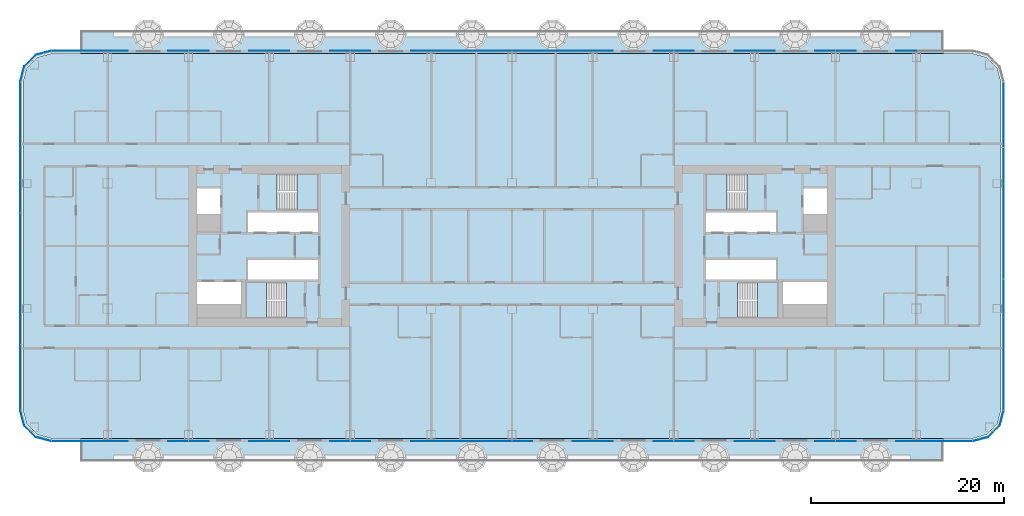
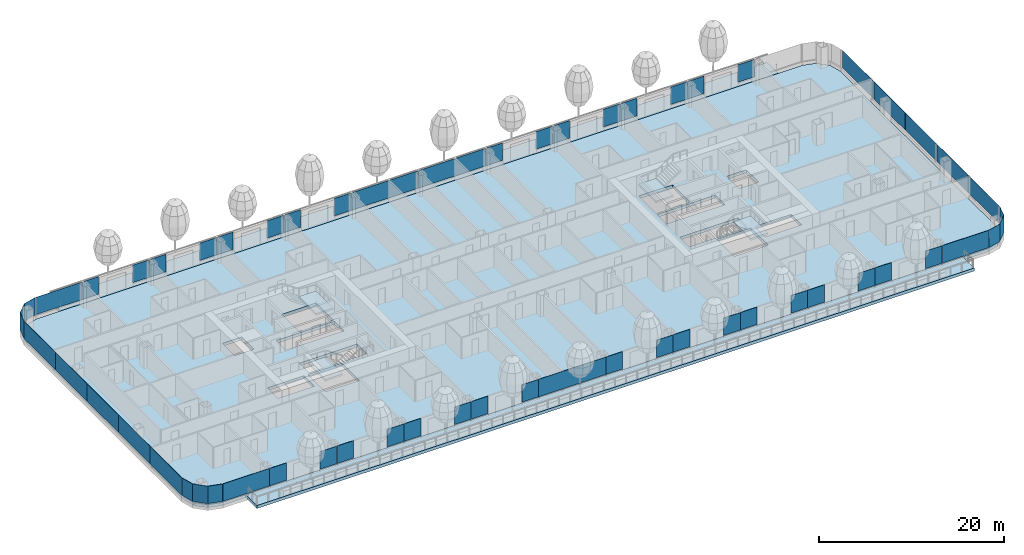
# One storey, part 11 of 35: 53 plates, 7 slabs, 11 elements without a shape of their own.
"""IFC4 building model written with IfcOpenShell, lengths in metres."""

import ifcopenshell
import ifcopenshell.guid

model = None  # the IFC model being written
_history = None  # IfcOwnerHistory: only IFC2X3 demands one
_inside = {}  # id of a spatial element -> (the spatial element, [elements in it])
_under = {}  # id of a project, library or spatial element -> (it, [spatial elements below it])
_declared = {}  # id of a project -> (the project, [libraries it declares])
_typed = {}  # id of a type object -> (the type object, [elements of that type])
_made_of = {}  # id of a material, layer set ... -> (it, [elements and type objects made of it])


def new_model(schema):
    """Start an empty IFC model of exactly this schema.

    Asked for "IFC4X3", IfcOpenShell would pick the latest addendum, in which some entities
    have other attributes; the version numbers below select the first issue.
    IFC2X3 requires an IfcOwnerHistory on every rooted entity: one is made here for all.
    """
    global model, _history
    if schema == "IFC4X3":
        model = ifcopenshell.file(schema_version=(4, 3, 0, 0))
    else:
        model = ifcopenshell.file(schema=schema)
    _inside.clear()
    _under.clear()
    _declared.clear()
    _typed.clear()
    _made_of.clear()
    _history = None
    if model.schema == "IFC2X3":
        org = make("IfcOrganization", Name="unknown")
        user = make(
            "IfcPersonAndOrganization",
            ThePerson=make("IfcPerson", FamilyName="unknown"),
            TheOrganization=org,
        )
        app = make(
            "IfcApplication",
            ApplicationDeveloper=org,
            Version="unknown",
            ApplicationFullName="unknown",
            ApplicationIdentifier="unknown",
        )
        _history = make(
            "IfcOwnerHistory",
            OwningUser=user,
            OwningApplication=app,
            ChangeAction="ADDED",
            CreationDate=0,
        )
    return model


def make(cls, **values):
    """One entity of the class cls with the attributes given. An attribute that is None is left unset."""
    return model.create_entity(
        cls, **{name: value for name, value in values.items() if value is not None}
    )


def rooted(cls, **values):
    """An entity with a GlobalId (a new one), such as an element, a storey or a relation."""
    return make(cls, GlobalId=ifcopenshell.guid.new(), OwnerHistory=_history, **values)


def si_unit(unit_type, name, prefix=None):
    """IfcSIUnit, for example si_unit("LENGTHUNIT", "METRE", prefix="MILLI")."""
    return make("IfcSIUnit", UnitType=unit_type, Prefix=prefix, Name=name)


def assignment(units):
    """IfcUnitAssignment: the units of a project."""
    return None if units is None else make("IfcUnitAssignment", Units=units)


def point(xyz):
    """IfcCartesianPoint."""
    return None if xyz is None else make("IfcCartesianPoint", Coordinates=xyz)


def direction(xyz):
    """IfcDirection."""
    return None if xyz is None else make("IfcDirection", DirectionRatios=xyz)


def frame(location, z_axis=None, x_axis=None):
    """IfcAxis2Placement3D, a coordinate frame: its origin and axes. An axis left out is left unset."""
    return make(
        "IfcAxis2Placement3D",
        Location=point(location),
        Axis=direction(z_axis),
        RefDirection=direction(x_axis),
    )


def frame_2d(location, x_axis=None):
    """IfcAxis2Placement2D, a coordinate frame in the plane: its origin and x axis."""
    return make(
        "IfcAxis2Placement2D", Location=point(location), RefDirection=direction(x_axis)
    )


def origin():
    """The frame at (0, 0, 0) with its axes left unset."""
    return frame((0.0, 0.0, 0.0))


def origin_2d():
    """The frame at (0, 0) in the plane with its x axis left unset."""
    return frame_2d((0.0, 0.0))


def place(relative_to, where):
    """IfcLocalPlacement: puts the frame where relative to a parent placement (None: the world)."""
    return make(
        "IfcLocalPlacement", PlacementRelTo=relative_to, RelativePlacement=where
    )


def context(
    kind, dimensions, precision=None, world=None, true_north=None, identifier=None
):
    """IfcGeometricRepresentationContext, for example the 3D "Model" context."""
    return make(
        "IfcGeometricRepresentationContext",
        ContextIdentifier=identifier,
        ContextType=kind,
        CoordinateSpaceDimension=dimensions,
        Precision=precision,
        WorldCoordinateSystem=world,
        TrueNorth=true_north,
    )


def subcontext(parent, identifier, kind, view, scale=None):
    """IfcGeometricRepresentationSubContext, for example "Body" below "Model"."""
    return make(
        "IfcGeometricRepresentationSubContext",
        ContextIdentifier=identifier,
        ContextType=kind,
        ParentContext=parent,
        TargetScale=scale,
        TargetView=view,
    )


def project(units=None, contexts=None):
    """IfcProject with its units and contexts."""
    return rooted(
        "IfcProject",
        Name="project",
        RepresentationContexts=contexts,
        UnitsInContext=assignment(units),
    )


def spatial(cls, under=None, at=None, **own):
    """A site, building, storey or space (cls), placed at a placement, below another one or the project."""
    s = rooted(cls, ObjectPlacement=at, **own)
    if under is not None:
        _under.setdefault(under.id(), (under, []))[1].append(s)
    return s


def polyline(points):
    """IfcPolyline through the points."""
    return make("IfcPolyline", Points=[point(p) for p in points])


def profile(cls, at=None, kind="AREA", **sizes):
    """A parametric profile (cls). Its sizes go by their IFC names, for example OverallWidth=200.0."""
    return make(cls, ProfileType=kind, Position=at, **sizes)


def rectangle(**sizes):
    """IfcRectangleProfileDef."""
    return profile("IfcRectangleProfileDef", **sizes)


def outline(outer, holes=None, kind="AREA"):
    """IfcArbitraryClosedProfileDef: a profile drawn as a closed curve; with holes, ...WithVoids."""
    if holes is None:
        return make("IfcArbitraryClosedProfileDef", ProfileType=kind, OuterCurve=outer)
    return make(
        "IfcArbitraryProfileDefWithVoids",
        ProfileType=kind,
        OuterCurve=outer,
        InnerCurves=holes,
    )


def extrude(swept, where, along, depth):
    """IfcExtrudedAreaSolid: the profile swept, set in the frame where, extruded along a direction by depth."""
    return make(
        "IfcExtrudedAreaSolid",
        SweptArea=swept,
        Position=where,
        ExtrudedDirection=direction(along),
        Depth=depth,
    )


def shape(context_of_items, identifier, shape_type, items):
    """IfcShapeRepresentation: the items that make up one representation, for example the "Body"."""
    return make(
        "IfcShapeRepresentation",
        ContextOfItems=context_of_items,
        RepresentationIdentifier=identifier,
        RepresentationType=shape_type,
        Items=items,
    )


def material(Name=None, Category=None):
    """IfcMaterial."""
    return make("IfcMaterial", Name=Name, Category=Category)


def layer(
    of_material, thickness, ventilated=None, Name=None, Category=None, Priority=None
):
    """IfcMaterialLayer: one layer of a wall or slab, of a material (None: an air gap)."""
    return make(
        "IfcMaterialLayer",
        Material=of_material,
        LayerThickness=thickness,
        IsVentilated=ventilated,
        Name=Name,
        Category=Category,
        Priority=Priority,
    )


def layer_set(layers, Name=None):
    """IfcMaterialLayerSet."""
    return make("IfcMaterialLayerSet", MaterialLayers=layers, LayerSetName=Name)


def made_of(thing, what):
    """Note that an element or type object is made of a material, layer set ...; save() writes the relation."""
    if what is not None:
        _made_of.setdefault(what.id(), (what, []))[1].append(thing)
    return thing


def type_object(cls, material=None, **own):
    """A type object (cls), such as IfcWallType, which elements share."""
    return made_of(rooted(cls, **own), material)


def element(
    cls,
    number,
    at=None,
    inside=None,
    cuts=None,
    type_object=None,
    material=None,
    context=None,
    identifier="Body",
    shape_type=None,
    held_by="IfcProductDefinitionShape",
    body=None,
    shapes=None,
    **own,
):
    """One element of the class cls, such as IfcWall. Its Tag is "e" and its number.

    at: its placement. inside: the storey or other place that contains it. cuts: it is an
    opening in that element (IfcRelVoidsElement). A single representation is given by context,
    identifier, shape_type and body (its items); several are given by shapes. held_by: the class
    of the entity that holds the representations. save() writes the other relations.
    """
    e = rooted(cls, Tag="e%d" % number, ObjectPlacement=at, **own)
    if body is not None:
        shapes = [shape(context, identifier, shape_type, body)]
    if shapes is not None:
        e.Representation = make(held_by, Representations=shapes)
    if inside is not None:
        _inside.setdefault(inside.id(), (inside, []))[1].append(e)
    if cuts is not None:
        rooted(
            "IfcRelVoidsElement", RelatingBuildingElement=cuts, RelatedOpeningElement=e
        )
    if type_object is not None:
        _typed.setdefault(type_object.id(), (type_object, []))[1].append(e)
    return made_of(e, material)


def aggregate(whole, parts):
    """IfcRelAggregates: a whole, such as a stair, and the parts it consists of."""
    return rooted("IfcRelAggregates", RelatingObject=whole, RelatedObjects=parts)


def save(model, path):
    """Write the relations noted so far, then the file.

    IfcRelAggregates (storeys below a building ...), IfcRelContainedInSpatialStructure (elements
    in a storey), IfcRelDefinesByType, IfcRelAssociatesMaterial and IfcRelDeclares: one each for
    every whole, place, type object, material and project.
    """
    for whole, parts in _under.values():
        aggregate(whole, parts)
    for where, things in _inside.values():
        rooted(
            "IfcRelContainedInSpatialStructure",
            RelatedElements=things,
            RelatingStructure=where,
        )
    for kind, things in _typed.values():
        rooted("IfcRelDefinesByType", RelatedObjects=things, RelatingType=kind)
    for what, things in _made_of.values():
        rooted("IfcRelAssociatesMaterial", RelatedObjects=things, RelatingMaterial=what)
    for by, libraries in _declared.values():
        rooted("IfcRelDeclares", RelatingContext=by, RelatedDefinitions=libraries)
    model.write(path)


model = new_model("IFC4")

# Units and contexts
model_context = context("Model", 3, precision=1e-05, world=origin(), true_north=direction((0.0, 1.0)))
body_context = subcontext(model_context, "Body", "Model", "MODEL_VIEW")
ifc_project = project(units=[si_unit("LENGTHUNIT", "METRE"), si_unit("AREAUNIT", "SQUARE_METRE"), si_unit("VOLUMEUNIT", "CUBIC_METRE"), si_unit("PLANEANGLEUNIT", "RADIAN"), si_unit("MASSUNIT", "GRAM", prefix="KILO")], contexts=[model_context])

# Site, building, storey
site_placement = place(None, origin())
site = spatial("IfcSite", under=ifc_project, at=site_placement, CompositionType="ELEMENT")
building_placement = place(site_placement, origin())
building = spatial("IfcBuilding", under=site, at=building_placement, Name="Hakoniwa Tower and Hamabe Station Hall", CompositionType="ELEMENT")
storey_placement = place(building_placement, frame((0.0, 0.0, 51.800048828125)))
storey = spatial("IfcBuildingStorey", under=building, at=storey_placement, Name="L14", CompositionType="ELEMENT", Elevation=51.800048828125)

# Slabs
ifc_material_1 = material(Name="Concrete C42", Category="concrete")
ifc_layer_1 = layer(ifc_material_1, 0.25)
ifc_layer_set_1 = layer_set([ifc_layer_1], Name="BALCONY SLAB 250")
slab_type_1 = type_object("IfcSlabType", Name="BALCONY SLAB 250", PredefinedType="FLOOR", material=ifc_layer_set_1)
slab_1_placement = place(storey_placement, frame((0.0, 0.0, -0.400146484375)))
element("IfcSlab", 1, at=slab_1_placement, inside=storey, type_object=slab_type_1, Name="Balcony slab L14 BAL-L14-N", PredefinedType="FLOOR", context=body_context, shape_type="SweptSolid", body=[
    extrude(outline(polyline([(-44.800048828125, 20.0), (44.800048828125, 20.0), (44.800048828125, 22.39990234375), (-44.800048828125, 22.39990234375), (-44.800048828125, 20.0)])), origin(), (0.0, 0.0, 1.0), 0.400146484375),
])
slab_2_placement = place(storey_placement, frame((0.0, 0.0, -0.400146484375)))
element("IfcSlab", 2, at=slab_2_placement, inside=storey, type_object=slab_type_1, Name="Balcony slab L14 BAL-L14-S", PredefinedType="FLOOR", context=body_context, shape_type="SweptSolid", body=[
    extrude(outline(polyline([(-44.800048828125, -22.39990234375), (44.800048828125, -22.39990234375), (44.800048828125, -20.0), (-44.800048828125, -20.0), (-44.800048828125, -22.39990234375)])), origin(), (0.0, 0.0, 1.0), 0.400146484375),
])

# Stair, slab
ifc_material_2 = material(Name="Concrete C40", Category="concrete")
stair_type = type_object("IfcStairType", Name="ESCAPE STAIR 1800", PredefinedType="HALF_TURN_STAIR", material=ifc_material_2)
stair_1_placement = place(storey_placement, origin())
stair_1 = element("IfcStair", 3, at=stair_1_placement, inside=storey, type_object=stair_type, Name="Escape stair ST-1 L14", PredefinedType="HALF_TURN_STAIR")
ifc_material_3 = material(Name="Concrete C40", Category="concrete")
ifc_layer_2 = layer(ifc_material_3, 0.25)
ifc_layer_set_2 = layer_set([ifc_layer_2], Name="CORE STAIR LANDING 250")
slab_type_2 = type_object("IfcSlabType", Name="CORE STAIR LANDING 250", PredefinedType="LANDING", material=ifc_layer_set_2)
slab_3_placement = place(storey_placement, frame((0.0, 0.0, 1.349853515625)))
slab_3 = element("IfcSlab", 4, at=slab_3_placement, type_object=slab_type_2, Name="ST-1 landing 1", PredefinedType="LANDING", context=body_context, shape_type="SweptSolid", body=[
    extrude(outline(polyline([(-22.320068359375, 3.75), (-20.14990234375, 3.75), (-20.14990234375, 7.5), (-22.320068359375, 7.5), (-22.320068359375, 3.75)])), origin(), (0.0, 0.0, 1.0), 0.25),
])
aggregate(stair_1, [slab_3])

stair_2_placement = place(storey_placement, origin())
stair_2 = element("IfcStair", 5, at=stair_2_placement, inside=storey, type_object=stair_type, Name="Escape stair ST-2 L14", PredefinedType="HALF_TURN_STAIR")
slab_4_placement = place(storey_placement, frame((0.0, 0.0, 1.349853515625)))
slab_4 = element("IfcSlab", 6, at=slab_4_placement, type_object=slab_type_2, Name="ST-2 landing 1", PredefinedType="LANDING", context=body_context, shape_type="SweptSolid", body=[
    extrude(outline(polyline([(-25.47998046875, -7.5), (-27.64990234375, -7.5), (-27.64990234375, -3.75), (-25.47998046875, -3.75), (-25.47998046875, -7.5)])), origin(), (0.0, 0.0, 1.0), 0.25),
])
aggregate(stair_2, [slab_4])

stair_3_placement = place(storey_placement, origin())
stair_3 = element("IfcStair", 7, at=stair_3_placement, inside=storey, type_object=stair_type, Name="Escape stair ST-3 L14", PredefinedType="HALF_TURN_STAIR")
slab_5_placement = place(storey_placement, frame((0.0, 0.0, 1.349853515625)))
slab_5 = element("IfcSlab", 8, at=slab_5_placement, type_object=slab_type_2, Name="ST-3 landing 1", PredefinedType="LANDING", context=body_context, shape_type="SweptSolid", body=[
    extrude(outline(polyline([(22.320068359375, 3.75), (20.14990234375, 3.75), (20.14990234375, 7.5), (22.320068359375, 7.5), (22.320068359375, 3.75)])), origin(), (0.0, 0.0, 1.0), 0.25),
])
aggregate(stair_3, [slab_5])

stair_4_placement = place(storey_placement, origin())
stair_4 = element("IfcStair", 9, at=stair_4_placement, inside=storey, type_object=stair_type, Name="Escape stair ST-4 L14", PredefinedType="HALF_TURN_STAIR")
slab_6_placement = place(storey_placement, frame((0.0, 0.0, 1.349853515625)))
slab_6 = element("IfcSlab", 10, at=slab_6_placement, type_object=slab_type_2, Name="ST-4 landing 1", PredefinedType="LANDING", context=body_context, shape_type="SweptSolid", body=[
    extrude(outline(polyline([(25.47998046875, -7.5), (27.64990234375, -7.5), (27.64990234375, -3.75), (25.47998046875, -3.75), (25.47998046875, -7.5)])), origin(), (0.0, 0.0, 1.0), 0.25),
])
aggregate(stair_4, [slab_6])

# Curtain wall, plates
ifc_material_4 = material(Name="Dark low-e laminated glass", Category="glass")
ifc_layer_3 = layer(ifc_material_4, 0.199951171875)
ifc_layer_set_3 = layer_set([ifc_layer_3], Name="CW-1 UNITISED GUEST")
curtain_wall_type = type_object("IfcCurtainWallType", Name="CW-1 UNITISED GUEST", PredefinedType="NOTDEFINED", material=ifc_layer_set_3)
curtain_wall_1_placement = place(storey_placement, origin())
curtain_wall_1 = element("IfcCurtainWall", 11, at=curtain_wall_1_placement, inside=storey, type_object=curtain_wall_type, Name="CW-1 curtain wall", PredefinedType="NOTDEFINED")
ifc_material_5 = material(Name="Dark low-e laminated glass", Category="glass")
ifc_layer_4 = layer(ifc_material_5, 0.028076171875)
ifc_layer_set_4 = layer_set([ifc_layer_4], Name="CW-1 GLASS UNIT")
plate_type = type_object("IfcPlateType", Name="CW-1 GLASS UNIT", PredefinedType="CURTAIN_PANEL", material=ifc_layer_set_4)
plate_1_placement = place(storey_placement, frame((51.0859375, -13.631591796875, 0.35009765625), z_axis=(0.0, 0.0, 1.0), x_axis=(0.0, 1.0, 0.0)))
plate_1 = element("IfcPlate", 12, at=plate_1_placement, type_object=plate_type, Name="CW-1 glass unit", PredefinedType="CURTAIN_PANEL", context=body_context, shape_type="SweptSolid", body=[
    extrude(rectangle(XDim=6.7958984375, YDim=0.028076171875, at=origin_2d()), origin(), (0.0, 0.0, 1.0), 2.300048828125),
])
plate_2_placement = place(storey_placement, frame((51.0859375, -6.81591796875, 0.35009765625), z_axis=(0.0, 0.0, 1.0), x_axis=(0.0, 1.0, 0.0)))
plate_2 = element("IfcPlate", 13, at=plate_2_placement, type_object=plate_type, Name="CW-1 glass unit", PredefinedType="CURTAIN_PANEL", context=body_context, shape_type="SweptSolid", body=[
    extrude(rectangle(XDim=6.7958984375, YDim=0.028076171875, at=origin_2d()), origin(), (0.0, 0.0, 1.0), 2.300048828125),
])
plate_3_placement = place(storey_placement, frame((51.0859375, 0.0, 0.35009765625), z_axis=(0.0, 0.0, 1.0), x_axis=(0.0, 1.0, 0.0)))
plate_3 = element("IfcPlate", 14, at=plate_3_placement, type_object=plate_type, Name="CW-1 glass unit", PredefinedType="CURTAIN_PANEL", context=body_context, shape_type="SweptSolid", body=[
    extrude(rectangle(XDim=6.7958984375, YDim=0.028076171875, at=origin_2d()), origin(), (0.0, 0.0, 1.0), 2.300048828125),
])
plate_4_placement = place(storey_placement, frame((51.0859375, 6.81591796875, 0.35009765625), z_axis=(0.0, 0.0, 1.0), x_axis=(0.0, 1.0, 0.0)))
plate_4 = element("IfcPlate", 15, at=plate_4_placement, type_object=plate_type, Name="CW-1 glass unit", PredefinedType="CURTAIN_PANEL", context=body_context, shape_type="SweptSolid", body=[
    extrude(rectangle(XDim=6.7958984375, YDim=0.028076171875, at=origin_2d()), origin(), (0.0, 0.0, 1.0), 2.300048828125),
])
plate_5_placement = place(storey_placement, frame((51.0859375, 13.631591796875, 0.35009765625), z_axis=(0.0, 0.0, 1.0), x_axis=(0.0, 1.0, 0.0)))
plate_5 = element("IfcPlate", 16, at=plate_5_placement, type_object=plate_type, Name="CW-1 glass unit", PredefinedType="CURTAIN_PANEL", context=body_context, shape_type="SweptSolid", body=[
    extrude(rectangle(XDim=6.7958984375, YDim=0.028076171875, at=origin_2d()), origin(), (0.0, 0.0, 1.0), 2.300048828125),
])
aggregate(curtain_wall_1, [plate_1, plate_2, plate_3, plate_4, plate_5])

curtain_wall_2_placement = place(storey_placement, origin())
curtain_wall_2 = element("IfcCurtainWall", 17, at=curtain_wall_2_placement, inside=storey, type_object=curtain_wall_type, Name="CW-1 curtain wall", PredefinedType="NOTDEFINED")
plate_6_placement = place(storey_placement, frame((40.949951171875, 20.285888671875, 0.35009765625), z_axis=(0.0, 0.0, 1.0), x_axis=(-1.0, 0.0, 0.0)))
plate_6 = element("IfcPlate", 18, at=plate_6_placement, type_object=plate_type, Name="CW-1 glass unit", PredefinedType="CURTAIN_PANEL", context=body_context, shape_type="SweptSolid", body=[
    extrude(rectangle(XDim=2.080078125, YDim=0.028076171875, at=origin_2d()), origin(), (0.0, 0.0, 1.0), 2.300048828125),
])
plate_7_placement = place(storey_placement, frame((34.64990234375, 20.285888671875, 0.35009765625), z_axis=(0.0, 0.0, 1.0), x_axis=(-1.0, 0.0, 0.0)))
plate_7 = element("IfcPlate", 19, at=plate_7_placement, type_object=plate_type, Name="CW-1 glass unit", PredefinedType="CURTAIN_PANEL", context=body_context, shape_type="SweptSolid", body=[
    extrude(rectangle(XDim=2.080078125, YDim=0.028076171875, at=origin_2d()), origin(), (0.0, 0.0, 1.0), 2.300048828125),
])
plate_8_placement = place(storey_placement, frame((32.550048828125, 20.285888671875, 0.35009765625), z_axis=(0.0, 0.0, 1.0), x_axis=(-1.0, 0.0, 0.0)))
plate_8 = element("IfcPlate", 20, at=plate_8_placement, type_object=plate_type, Name="CW-1 glass unit", PredefinedType="CURTAIN_PANEL", context=body_context, shape_type="SweptSolid", body=[
    extrude(rectangle(XDim=2.080078125, YDim=0.028076171875, at=origin_2d()), origin(), (0.0, 0.0, 1.0), 2.300048828125),
])
plate_9_placement = place(storey_placement, frame((26.25, 20.285888671875, 0.35009765625), z_axis=(0.0, 0.0, 1.0), x_axis=(-1.0, 0.0, 0.0)))
plate_9 = element("IfcPlate", 21, at=plate_9_placement, type_object=plate_type, Name="CW-1 glass unit", PredefinedType="CURTAIN_PANEL", context=body_context, shape_type="SweptSolid", body=[
    extrude(rectangle(XDim=2.080078125, YDim=0.028076171875, at=origin_2d()), origin(), (0.0, 0.0, 1.0), 2.300048828125),
])
plate_10_placement = place(storey_placement, frame((24.14990234375, 20.285888671875, 0.35009765625), z_axis=(0.0, 0.0, 1.0), x_axis=(-1.0, 0.0, 0.0)))
plate_10 = element("IfcPlate", 22, at=plate_10_placement, type_object=plate_type, Name="CW-1 glass unit", PredefinedType="CURTAIN_PANEL", context=body_context, shape_type="SweptSolid", body=[
    extrude(rectangle(XDim=2.080078125, YDim=0.028076171875, at=origin_2d()), origin(), (0.0, 0.0, 1.0), 2.300048828125),
])
plate_11_placement = place(storey_placement, frame((17.85009765625, 20.285888671875, 0.35009765625), z_axis=(0.0, 0.0, 1.0), x_axis=(-1.0, 0.0, 0.0)))
plate_11 = element("IfcPlate", 23, at=plate_11_placement, type_object=plate_type, Name="CW-1 glass unit", PredefinedType="CURTAIN_PANEL", context=body_context, shape_type="SweptSolid", body=[
    extrude(rectangle(XDim=2.080078125, YDim=0.028076171875, at=origin_2d()), origin(), (0.0, 0.0, 1.0), 2.300048828125),
])
plate_12_placement = place(storey_placement, frame((15.75, 20.285888671875, 0.35009765625), z_axis=(0.0, 0.0, 1.0), x_axis=(-1.0, 0.0, 0.0)))
plate_12 = element("IfcPlate", 24, at=plate_12_placement, type_object=plate_type, Name="CW-1 glass unit", PredefinedType="CURTAIN_PANEL", context=body_context, shape_type="SweptSolid", body=[
    extrude(rectangle(XDim=2.080078125, YDim=0.028076171875, at=origin_2d()), origin(), (0.0, 0.0, 1.0), 2.300048828125),
])
plate_13_placement = place(storey_placement, frame((9.449951171875, 20.285888671875, 0.35009765625), z_axis=(0.0, 0.0, 1.0), x_axis=(-1.0, 0.0, 0.0)))
plate_13 = element("IfcPlate", 25, at=plate_13_placement, type_object=plate_type, Name="CW-1 glass unit", PredefinedType="CURTAIN_PANEL", context=body_context, shape_type="SweptSolid", body=[
    extrude(rectangle(XDim=2.080078125, YDim=0.028076171875, at=origin_2d()), origin(), (0.0, 0.0, 1.0), 2.300048828125),
])
plate_14_placement = place(storey_placement, frame((4.199951171875, 20.285888671875, 0.35009765625), z_axis=(0.0, 0.0, 1.0), x_axis=(-1.0, 0.0, 0.0)))
plate_14 = element("IfcPlate", 26, at=plate_14_placement, type_object=plate_type, Name="CW-1 glass unit", PredefinedType="CURTAIN_PANEL", context=body_context, shape_type="SweptSolid", body=[
    extrude(rectangle(XDim=8.3798828125, YDim=0.028076171875, at=origin_2d()), origin(), (0.0, 0.0, 1.0), 2.300048828125),
])
plate_15_placement = place(storey_placement, frame((-4.199951171875, 20.285888671875, 0.35009765625), z_axis=(0.0, 0.0, 1.0), x_axis=(-1.0, 0.0, 0.0)))
plate_15 = element("IfcPlate", 27, at=plate_15_placement, type_object=plate_type, Name="CW-1 glass unit", PredefinedType="CURTAIN_PANEL", context=body_context, shape_type="SweptSolid", body=[
    extrude(rectangle(XDim=8.3798828125, YDim=0.028076171875, at=origin_2d()), origin(), (0.0, 0.0, 1.0), 2.300048828125),
])
plate_16_placement = place(storey_placement, frame((-9.449951171875, 20.285888671875, 0.35009765625), z_axis=(0.0, 0.0, 1.0), x_axis=(-1.0, 0.0, 0.0)))
plate_16 = element("IfcPlate", 28, at=plate_16_placement, type_object=plate_type, Name="CW-1 glass unit", PredefinedType="CURTAIN_PANEL", context=body_context, shape_type="SweptSolid", body=[
    extrude(rectangle(XDim=2.080078125, YDim=0.028076171875, at=origin_2d()), origin(), (0.0, 0.0, 1.0), 2.300048828125),
])
plate_17_placement = place(storey_placement, frame((-15.75, 20.285888671875, 0.35009765625), z_axis=(0.0, 0.0, 1.0), x_axis=(-1.0, 0.0, 0.0)))
plate_17 = element("IfcPlate", 29, at=plate_17_placement, type_object=plate_type, Name="CW-1 glass unit", PredefinedType="CURTAIN_PANEL", context=body_context, shape_type="SweptSolid", body=[
    extrude(rectangle(XDim=2.080078125, YDim=0.028076171875, at=origin_2d()), origin(), (0.0, 0.0, 1.0), 2.300048828125),
])
plate_18_placement = place(storey_placement, frame((-17.85009765625, 20.285888671875, 0.35009765625), z_axis=(0.0, 0.0, 1.0), x_axis=(-1.0, 0.0, 0.0)))
plate_18 = element("IfcPlate", 30, at=plate_18_placement, type_object=plate_type, Name="CW-1 glass unit", PredefinedType="CURTAIN_PANEL", context=body_context, shape_type="SweptSolid", body=[
    extrude(rectangle(XDim=2.080078125, YDim=0.028076171875, at=origin_2d()), origin(), (0.0, 0.0, 1.0), 2.300048828125),
])
plate_19_placement = place(storey_placement, frame((-24.14990234375, 20.285888671875, 0.35009765625), z_axis=(0.0, 0.0, 1.0), x_axis=(-1.0, 0.0, 0.0)))
plate_19 = element("IfcPlate", 31, at=plate_19_placement, type_object=plate_type, Name="CW-1 glass unit", PredefinedType="CURTAIN_PANEL", context=body_context, shape_type="SweptSolid", body=[
    extrude(rectangle(XDim=2.080078125, YDim=0.028076171875, at=origin_2d()), origin(), (0.0, 0.0, 1.0), 2.300048828125),
])
plate_20_placement = place(storey_placement, frame((-26.25, 20.285888671875, 0.35009765625), z_axis=(0.0, 0.0, 1.0), x_axis=(-1.0, 0.0, 0.0)))
plate_20 = element("IfcPlate", 32, at=plate_20_placement, type_object=plate_type, Name="CW-1 glass unit", PredefinedType="CURTAIN_PANEL", context=body_context, shape_type="SweptSolid", body=[
    extrude(rectangle(XDim=2.080078125, YDim=0.028076171875, at=origin_2d()), origin(), (0.0, 0.0, 1.0), 2.300048828125),
])
plate_21_placement = place(storey_placement, frame((-32.550048828125, 20.285888671875, 0.35009765625), z_axis=(0.0, 0.0, 1.0), x_axis=(-1.0, 0.0, 0.0)))
plate_21 = element("IfcPlate", 33, at=plate_21_placement, type_object=plate_type, Name="CW-1 glass unit", PredefinedType="CURTAIN_PANEL", context=body_context, shape_type="SweptSolid", body=[
    extrude(rectangle(XDim=2.080078125, YDim=0.028076171875, at=origin_2d()), origin(), (0.0, 0.0, 1.0), 2.300048828125),
])
plate_22_placement = place(storey_placement, frame((-34.64990234375, 20.285888671875, 0.35009765625), z_axis=(0.0, 0.0, 1.0), x_axis=(-1.0, 0.0, 0.0)))
plate_22 = element("IfcPlate", 34, at=plate_22_placement, type_object=plate_type, Name="CW-1 glass unit", PredefinedType="CURTAIN_PANEL", context=body_context, shape_type="SweptSolid", body=[
    extrude(rectangle(XDim=2.080078125, YDim=0.028076171875, at=origin_2d()), origin(), (0.0, 0.0, 1.0), 2.300048828125),
])
plate_23_placement = place(storey_placement, frame((-40.949951171875, 20.285888671875, 0.35009765625), z_axis=(0.0, 0.0, 1.0), x_axis=(-1.0, 0.0, 0.0)))
plate_23 = element("IfcPlate", 35, at=plate_23_placement, type_object=plate_type, Name="CW-1 glass unit", PredefinedType="CURTAIN_PANEL", context=body_context, shape_type="SweptSolid", body=[
    extrude(rectangle(XDim=2.080078125, YDim=0.028076171875, at=origin_2d()), origin(), (0.0, 0.0, 1.0), 2.300048828125),
])
plate_24_placement = place(storey_placement, frame((-44.919677734375, 20.285888671875, 0.35009765625), z_axis=(0.0, 0.0, 1.0), x_axis=(-1.0, 0.0, 0.0)))
plate_24 = element("IfcPlate", 36, at=plate_24_placement, type_object=plate_type, Name="CW-1 glass unit", PredefinedType="CURTAIN_PANEL", context=body_context, shape_type="SweptSolid", body=[
    extrude(rectangle(XDim=5.819580078125, YDim=0.028076171875, at=origin_2d()), origin(), (0.0, 0.0, 1.0), 2.300048828125),
])
aggregate(curtain_wall_2, [plate_6, plate_7, plate_8, plate_9, plate_10, plate_11, plate_12, plate_13, plate_14, plate_15, plate_16, plate_17, plate_18, plate_19, plate_20, plate_21, plate_22, plate_23, plate_24])

# Curtain wall, plate
curtain_wall_3_placement = place(storey_placement, origin())
curtain_wall_3 = element("IfcCurtainWall", 37, at=curtain_wall_3_placement, inside=storey, type_object=curtain_wall_type, Name="CW-1 curtain wall", PredefinedType="NOTDEFINED")
plate_25_placement = place(storey_placement, frame((0.0, 0.0, 0.349853515625)))
plate_25 = element("IfcPlate", 38, at=plate_25_placement, type_object=plate_type, Name="CW-1 curved corner unit", PredefinedType="CURTAIN_PANEL", context=body_context, shape_type="SweptSolid", body=[
    extrude(outline(polyline([(-47.878173828125, 20.28955078125), (-49.455322265625, 19.866943359375), (-50.6669921875, 18.6552734375), (-51.089599609375, 17.078125), (-51.0625, 17.07080078125), (-50.641845703125, 18.640869140625), (-49.44091796875, 19.842041015625), (-47.870849609375, 20.2626953125), (-47.878173828125, 20.28955078125)])), origin(), (0.0, 0.0, 1.0), 2.300048828125),
])
aggregate(curtain_wall_3, [plate_25])

# Curtain wall, plates
curtain_wall_4_placement = place(storey_placement, origin())
curtain_wall_4 = element("IfcCurtainWall", 39, at=curtain_wall_4_placement, inside=storey, type_object=curtain_wall_type, Name="CW-1 curtain wall", PredefinedType="NOTDEFINED")
plate_26_placement = place(storey_placement, frame((-51.0859375, 13.631591796875, 0.35009765625), z_axis=(0.0, 0.0, 1.0), x_axis=(0.0, -1.0, 0.0)))
plate_26 = element("IfcPlate", 40, at=plate_26_placement, type_object=plate_type, Name="CW-1 glass unit", PredefinedType="CURTAIN_PANEL", context=body_context, shape_type="SweptSolid", body=[
    extrude(rectangle(XDim=6.7958984375, YDim=0.028076171875, at=origin_2d()), origin(), (0.0, 0.0, 1.0), 2.300048828125),
])
plate_27_placement = place(storey_placement, frame((-51.0859375, 6.81591796875, 0.35009765625), z_axis=(0.0, 0.0, 1.0), x_axis=(0.0, -1.0, 0.0)))
plate_27 = element("IfcPlate", 41, at=plate_27_placement, type_object=plate_type, Name="CW-1 glass unit", PredefinedType="CURTAIN_PANEL", context=body_context, shape_type="SweptSolid", body=[
    extrude(rectangle(XDim=6.7958984375, YDim=0.028076171875, at=origin_2d()), origin(), (0.0, 0.0, 1.0), 2.300048828125),
])
plate_28_placement = place(storey_placement, frame((-51.0859375, 0.0, 0.35009765625), z_axis=(0.0, 0.0, 1.0), x_axis=(0.0, -1.0, 0.0)))
plate_28 = element("IfcPlate", 42, at=plate_28_placement, type_object=plate_type, Name="CW-1 glass unit", PredefinedType="CURTAIN_PANEL", context=body_context, shape_type="SweptSolid", body=[
    extrude(rectangle(XDim=6.7958984375, YDim=0.028076171875, at=origin_2d()), origin(), (0.0, 0.0, 1.0), 2.300048828125),
])
plate_29_placement = place(storey_placement, frame((-51.0859375, -6.81591796875, 0.35009765625), z_axis=(0.0, 0.0, 1.0), x_axis=(0.0, -1.0, 0.0)))
plate_29 = element("IfcPlate", 43, at=plate_29_placement, type_object=plate_type, Name="CW-1 glass unit", PredefinedType="CURTAIN_PANEL", context=body_context, shape_type="SweptSolid", body=[
    extrude(rectangle(XDim=6.7958984375, YDim=0.028076171875, at=origin_2d()), origin(), (0.0, 0.0, 1.0), 2.300048828125),
])
plate_30_placement = place(storey_placement, frame((-51.0859375, -13.631591796875, 0.35009765625), z_axis=(0.0, 0.0, 1.0), x_axis=(0.0, -1.0, 0.0)))
plate_30 = element("IfcPlate", 44, at=plate_30_placement, type_object=plate_type, Name="CW-1 glass unit", PredefinedType="CURTAIN_PANEL", context=body_context, shape_type="SweptSolid", body=[
    extrude(rectangle(XDim=6.7958984375, YDim=0.028076171875, at=origin_2d()), origin(), (0.0, 0.0, 1.0), 2.300048828125),
])
aggregate(curtain_wall_4, [plate_26, plate_27, plate_28, plate_29, plate_30])

# Curtain wall, plate
curtain_wall_5_placement = place(storey_placement, origin())
curtain_wall_5 = element("IfcCurtainWall", 45, at=curtain_wall_5_placement, inside=storey, type_object=curtain_wall_type, Name="CW-1 curtain wall", PredefinedType="NOTDEFINED")
plate_31_placement = place(storey_placement, frame((0.0, 0.0, 0.349853515625)))
plate_31 = element("IfcPlate", 46, at=plate_31_placement, type_object=plate_type, Name="CW-1 curved corner unit", PredefinedType="CURTAIN_PANEL", context=body_context, shape_type="SweptSolid", body=[
    extrude(outline(polyline([(-51.089599609375, -17.078125), (-50.6669921875, -18.6552734375), (-49.455322265625, -19.866943359375), (-47.878173828125, -20.28955078125), (-47.870849609375, -20.2626953125), (-49.44091796875, -19.842041015625), (-50.641845703125, -18.640869140625), (-51.0625, -17.07080078125), (-51.089599609375, -17.078125)])), origin(), (0.0, 0.0, 1.0), 2.300048828125),
])
aggregate(curtain_wall_5, [plate_31])

# Curtain wall, plates
curtain_wall_6_placement = place(storey_placement, origin())
curtain_wall_6 = element("IfcCurtainWall", 47, at=curtain_wall_6_placement, inside=storey, type_object=curtain_wall_type, Name="CW-1 curtain wall", PredefinedType="NOTDEFINED")
plate_32_placement = place(storey_placement, frame((-44.919677734375, -20.285888671875, 0.35009765625), z_axis=(0.0, 0.0, 1.0), x_axis=(1.0, 0.0, 0.0)))
plate_32 = element("IfcPlate", 48, at=plate_32_placement, type_object=plate_type, Name="CW-1 glass unit", PredefinedType="CURTAIN_PANEL", context=body_context, shape_type="SweptSolid", body=[
    extrude(rectangle(XDim=5.819580078125, YDim=0.028076171875, at=origin_2d()), origin(), (0.0, 0.0, 1.0), 2.300048828125),
])
plate_33_placement = place(storey_placement, frame((-40.949951171875, -20.285888671875, 0.35009765625), z_axis=(0.0, 0.0, 1.0), x_axis=(1.0, 0.0, 0.0)))
plate_33 = element("IfcPlate", 49, at=plate_33_placement, type_object=plate_type, Name="CW-1 glass unit", PredefinedType="CURTAIN_PANEL", context=body_context, shape_type="SweptSolid", body=[
    extrude(rectangle(XDim=2.080078125, YDim=0.028076171875, at=origin_2d()), origin(), (0.0, 0.0, 1.0), 2.300048828125),
])
plate_34_placement = place(storey_placement, frame((-34.64990234375, -20.285888671875, 0.35009765625), z_axis=(0.0, 0.0, 1.0), x_axis=(1.0, 0.0, 0.0)))
plate_34 = element("IfcPlate", 50, at=plate_34_placement, type_object=plate_type, Name="CW-1 glass unit", PredefinedType="CURTAIN_PANEL", context=body_context, shape_type="SweptSolid", body=[
    extrude(rectangle(XDim=2.080078125, YDim=0.028076171875, at=origin_2d()), origin(), (0.0, 0.0, 1.0), 2.300048828125),
])
plate_35_placement = place(storey_placement, frame((-32.550048828125, -20.285888671875, 0.35009765625), z_axis=(0.0, 0.0, 1.0), x_axis=(1.0, 0.0, 0.0)))
plate_35 = element("IfcPlate", 51, at=plate_35_placement, type_object=plate_type, Name="CW-1 glass unit", PredefinedType="CURTAIN_PANEL", context=body_context, shape_type="SweptSolid", body=[
    extrude(rectangle(XDim=2.080078125, YDim=0.028076171875, at=origin_2d()), origin(), (0.0, 0.0, 1.0), 2.300048828125),
])
plate_36_placement = place(storey_placement, frame((-26.25, -20.285888671875, 0.35009765625), z_axis=(0.0, 0.0, 1.0), x_axis=(1.0, 0.0, 0.0)))
plate_36 = element("IfcPlate", 52, at=plate_36_placement, type_object=plate_type, Name="CW-1 glass unit", PredefinedType="CURTAIN_PANEL", context=body_context, shape_type="SweptSolid", body=[
    extrude(rectangle(XDim=2.080078125, YDim=0.028076171875, at=origin_2d()), origin(), (0.0, 0.0, 1.0), 2.300048828125),
])
plate_37_placement = place(storey_placement, frame((-24.14990234375, -20.285888671875, 0.35009765625), z_axis=(0.0, 0.0, 1.0), x_axis=(1.0, 0.0, 0.0)))
plate_37 = element("IfcPlate", 53, at=plate_37_placement, type_object=plate_type, Name="CW-1 glass unit", PredefinedType="CURTAIN_PANEL", context=body_context, shape_type="SweptSolid", body=[
    extrude(rectangle(XDim=2.080078125, YDim=0.028076171875, at=origin_2d()), origin(), (0.0, 0.0, 1.0), 2.300048828125),
])
plate_38_placement = place(storey_placement, frame((-17.85009765625, -20.285888671875, 0.35009765625), z_axis=(0.0, 0.0, 1.0), x_axis=(1.0, 0.0, 0.0)))
plate_38 = element("IfcPlate", 54, at=plate_38_placement, type_object=plate_type, Name="CW-1 glass unit", PredefinedType="CURTAIN_PANEL", context=body_context, shape_type="SweptSolid", body=[
    extrude(rectangle(XDim=2.080078125, YDim=0.028076171875, at=origin_2d()), origin(), (0.0, 0.0, 1.0), 2.300048828125),
])
plate_39_placement = place(storey_placement, frame((-15.75, -20.285888671875, 0.35009765625), z_axis=(0.0, 0.0, 1.0), x_axis=(1.0, 0.0, 0.0)))
plate_39 = element("IfcPlate", 55, at=plate_39_placement, type_object=plate_type, Name="CW-1 glass unit", PredefinedType="CURTAIN_PANEL", context=body_context, shape_type="SweptSolid", body=[
    extrude(rectangle(XDim=2.080078125, YDim=0.028076171875, at=origin_2d()), origin(), (0.0, 0.0, 1.0), 2.300048828125),
])
plate_40_placement = place(storey_placement, frame((-9.449951171875, -20.285888671875, 0.35009765625), z_axis=(0.0, 0.0, 1.0), x_axis=(1.0, 0.0, 0.0)))
plate_40 = element("IfcPlate", 56, at=plate_40_placement, type_object=plate_type, Name="CW-1 glass unit", PredefinedType="CURTAIN_PANEL", context=body_context, shape_type="SweptSolid", body=[
    extrude(rectangle(XDim=2.080078125, YDim=0.028076171875, at=origin_2d()), origin(), (0.0, 0.0, 1.0), 2.300048828125),
])
plate_41_placement = place(storey_placement, frame((-4.199951171875, -20.285888671875, 0.35009765625), z_axis=(0.0, 0.0, 1.0), x_axis=(1.0, 0.0, 0.0)))
plate_41 = element("IfcPlate", 57, at=plate_41_placement, type_object=plate_type, Name="CW-1 glass unit", PredefinedType="CURTAIN_PANEL", context=body_context, shape_type="SweptSolid", body=[
    extrude(rectangle(XDim=8.3798828125, YDim=0.028076171875, at=origin_2d()), origin(), (0.0, 0.0, 1.0), 2.300048828125),
])
plate_42_placement = place(storey_placement, frame((1.050048828125, -20.285888671875, 0.35009765625), z_axis=(0.0, 0.0, 1.0), x_axis=(1.0, 0.0, 0.0)))
plate_42 = element("IfcPlate", 58, at=plate_42_placement, type_object=plate_type, Name="CW-1 glass unit", PredefinedType="CURTAIN_PANEL", context=body_context, shape_type="SweptSolid", body=[
    extrude(rectangle(XDim=2.080078125, YDim=0.028076171875, at=origin_2d()), origin(), (0.0, 0.0, 1.0), 2.300048828125),
])
plate_43_placement = place(storey_placement, frame((7.35009765625, -20.285888671875, 0.35009765625), z_axis=(0.0, 0.0, 1.0), x_axis=(1.0, 0.0, 0.0)))
plate_43 = element("IfcPlate", 59, at=plate_43_placement, type_object=plate_type, Name="CW-1 glass unit", PredefinedType="CURTAIN_PANEL", context=body_context, shape_type="SweptSolid", body=[
    extrude(rectangle(XDim=2.080078125, YDim=0.028076171875, at=origin_2d()), origin(), (0.0, 0.0, 1.0), 2.300048828125),
])
plate_44_placement = place(storey_placement, frame((9.449951171875, -20.285888671875, 0.35009765625), z_axis=(0.0, 0.0, 1.0), x_axis=(1.0, 0.0, 0.0)))
plate_44 = element("IfcPlate", 60, at=plate_44_placement, type_object=plate_type, Name="CW-1 glass unit", PredefinedType="CURTAIN_PANEL", context=body_context, shape_type="SweptSolid", body=[
    extrude(rectangle(XDim=2.080078125, YDim=0.028076171875, at=origin_2d()), origin(), (0.0, 0.0, 1.0), 2.300048828125),
])
plate_45_placement = place(storey_placement, frame((15.75, -20.285888671875, 0.35009765625), z_axis=(0.0, 0.0, 1.0), x_axis=(1.0, 0.0, 0.0)))
plate_45 = element("IfcPlate", 61, at=plate_45_placement, type_object=plate_type, Name="CW-1 glass unit", PredefinedType="CURTAIN_PANEL", context=body_context, shape_type="SweptSolid", body=[
    extrude(rectangle(XDim=2.080078125, YDim=0.028076171875, at=origin_2d()), origin(), (0.0, 0.0, 1.0), 2.300048828125),
])
plate_46_placement = place(storey_placement, frame((17.85009765625, -20.285888671875, 0.35009765625), z_axis=(0.0, 0.0, 1.0), x_axis=(1.0, 0.0, 0.0)))
plate_46 = element("IfcPlate", 62, at=plate_46_placement, type_object=plate_type, Name="CW-1 glass unit", PredefinedType="CURTAIN_PANEL", context=body_context, shape_type="SweptSolid", body=[
    extrude(rectangle(XDim=2.080078125, YDim=0.028076171875, at=origin_2d()), origin(), (0.0, 0.0, 1.0), 2.300048828125),
])
plate_47_placement = place(storey_placement, frame((24.14990234375, -20.285888671875, 0.35009765625), z_axis=(0.0, 0.0, 1.0), x_axis=(1.0, 0.0, 0.0)))
plate_47 = element("IfcPlate", 63, at=plate_47_placement, type_object=plate_type, Name="CW-1 glass unit", PredefinedType="CURTAIN_PANEL", context=body_context, shape_type="SweptSolid", body=[
    extrude(rectangle(XDim=2.080078125, YDim=0.028076171875, at=origin_2d()), origin(), (0.0, 0.0, 1.0), 2.300048828125),
])
plate_48_placement = place(storey_placement, frame((26.25, -20.285888671875, 0.35009765625), z_axis=(0.0, 0.0, 1.0), x_axis=(1.0, 0.0, 0.0)))
plate_48 = element("IfcPlate", 64, at=plate_48_placement, type_object=plate_type, Name="CW-1 glass unit", PredefinedType="CURTAIN_PANEL", context=body_context, shape_type="SweptSolid", body=[
    extrude(rectangle(XDim=2.080078125, YDim=0.028076171875, at=origin_2d()), origin(), (0.0, 0.0, 1.0), 2.300048828125),
])
plate_49_placement = place(storey_placement, frame((32.550048828125, -20.285888671875, 0.35009765625), z_axis=(0.0, 0.0, 1.0), x_axis=(1.0, 0.0, 0.0)))
plate_49 = element("IfcPlate", 65, at=plate_49_placement, type_object=plate_type, Name="CW-1 glass unit", PredefinedType="CURTAIN_PANEL", context=body_context, shape_type="SweptSolid", body=[
    extrude(rectangle(XDim=2.080078125, YDim=0.028076171875, at=origin_2d()), origin(), (0.0, 0.0, 1.0), 2.300048828125),
])
plate_50_placement = place(storey_placement, frame((34.64990234375, -20.285888671875, 0.35009765625), z_axis=(0.0, 0.0, 1.0), x_axis=(1.0, 0.0, 0.0)))
plate_50 = element("IfcPlate", 66, at=plate_50_placement, type_object=plate_type, Name="CW-1 glass unit", PredefinedType="CURTAIN_PANEL", context=body_context, shape_type="SweptSolid", body=[
    extrude(rectangle(XDim=2.080078125, YDim=0.028076171875, at=origin_2d()), origin(), (0.0, 0.0, 1.0), 2.300048828125),
])
plate_51_placement = place(storey_placement, frame((40.949951171875, -20.285888671875, 0.35009765625), z_axis=(0.0, 0.0, 1.0), x_axis=(1.0, 0.0, 0.0)))
plate_51 = element("IfcPlate", 67, at=plate_51_placement, type_object=plate_type, Name="CW-1 glass unit", PredefinedType="CURTAIN_PANEL", context=body_context, shape_type="SweptSolid", body=[
    extrude(rectangle(XDim=2.080078125, YDim=0.028076171875, at=origin_2d()), origin(), (0.0, 0.0, 1.0), 2.300048828125),
])
plate_52_placement = place(storey_placement, frame((44.919677734375, -20.285888671875, 0.35009765625), z_axis=(0.0, 0.0, 1.0), x_axis=(1.0, 0.0, 0.0)))
plate_52 = element("IfcPlate", 68, at=plate_52_placement, type_object=plate_type, Name="CW-1 glass unit", PredefinedType="CURTAIN_PANEL", context=body_context, shape_type="SweptSolid", body=[
    extrude(rectangle(XDim=5.819580078125, YDim=0.028076171875, at=origin_2d()), origin(), (0.0, 0.0, 1.0), 2.300048828125),
])
aggregate(curtain_wall_6, [plate_32, plate_33, plate_34, plate_35, plate_36, plate_37, plate_38, plate_39, plate_40, plate_41, plate_42, plate_43, plate_44, plate_45, plate_46, plate_47, plate_48, plate_49, plate_50, plate_51, plate_52])

# Curtain wall, plate
curtain_wall_7_placement = place(storey_placement, origin())
curtain_wall_7 = element("IfcCurtainWall", 69, at=curtain_wall_7_placement, inside=storey, type_object=curtain_wall_type, Name="CW-1 curtain wall", PredefinedType="NOTDEFINED")
plate_53_placement = place(storey_placement, frame((0.0, 0.0, 0.349853515625)))
plate_53 = element("IfcPlate", 70, at=plate_53_placement, type_object=plate_type, Name="CW-1 curved corner unit", PredefinedType="CURTAIN_PANEL", context=body_context, shape_type="SweptSolid", body=[
    extrude(outline(polyline([(47.878173828125, -20.28955078125), (49.455322265625, -19.866943359375), (50.6669921875, -18.6552734375), (51.089599609375, -17.078125), (51.0625, -17.07080078125), (50.641845703125, -18.640869140625), (49.44091796875, -19.842041015625), (47.870849609375, -20.2626953125), (47.878173828125, -20.28955078125)])), origin(), (0.0, 0.0, 1.0), 2.300048828125),
])
aggregate(curtain_wall_7, [plate_53])

# Slab
ifc_material_6 = material(Name="Concrete C42", Category="concrete")
ifc_layer_5 = layer(ifc_material_6, 0.39990234375)
ifc_layer_set_5 = layer_set([ifc_layer_5], Name="PT FLAT PLATE 400")
slab_type_3 = type_object("IfcSlabType", Name="PT FLAT PLATE 400", PredefinedType="FLOOR", material=ifc_layer_set_5)
slab_7_placement = place(storey_placement, frame((0.0, 0.0, -0.400146484375)))
element("IfcSlab", 71, at=slab_7_placement, inside=storey, type_object=slab_type_3, Name="Floor slab L14", PredefinedType="FLOOR", context=body_context, shape_type="SweptSolid", body=[
    extrude(outline(polyline([(50.800048828125, -17.0), (50.800048828125, 17.0), (50.398193359375, 18.5), (49.300048828125, 19.59814453125), (47.800048828125, 20.0), (-47.800048828125, 20.0), (-49.300048828125, 19.59814453125), (-50.398193359375, 18.5), (-50.800048828125, 17.0), (-50.800048828125, -17.0), (-50.398193359375, -18.5), (-49.300048828125, -19.59814453125), (-47.800048828125, -20.0), (47.800048828125, -20.0), (49.300048828125, -19.59814453125), (50.398193359375, -18.5), (50.800048828125, -17.0)]), holes=[polyline([(-27.39990234375, 1.449951171875), (-27.39990234375, 3.5), (-20.14990234375, 3.5), (-20.14990234375, 1.449951171875), (-27.39990234375, 1.449951171875)]), polyline([(-27.39990234375, -3.5), (-27.39990234375, -1.449951171875), (-20.14990234375, -1.449951171875), (-20.14990234375, -3.5), (-27.39990234375, -3.5)]), polyline([(-32.699951171875, 3.300048828125), (-32.699951171875, 5.949951171875), (-30.300048828125, 5.949951171875), (-30.300048828125, 3.300048828125), (-32.699951171875, 3.300048828125)]), polyline([(-32.699951171875, -6.0), (-32.699951171875, -3.75), (-28.14990234375, -3.75), (-28.14990234375, -6.0), (-32.699951171875, -6.0)]), polyline([(-24.389892578125, 3.75), (-24.389892578125, 7.5), (-20.14990234375, 7.5), (-20.14990234375, 3.75), (-24.389892578125, 3.75)]), polyline([(-27.64990234375, -7.5), (-27.64990234375, -3.75), (-23.409912109375, -3.75), (-23.409912109375, -7.5), (-27.64990234375, -7.5)]), polyline([(20.14990234375, 1.449951171875), (20.14990234375, 3.5), (27.39990234375, 3.5), (27.39990234375, 1.449951171875), (20.14990234375, 1.449951171875)]), polyline([(20.14990234375, -3.5), (20.14990234375, -1.449951171875), (27.39990234375, -1.449951171875), (27.39990234375, -3.5), (20.14990234375, -3.5)]), polyline([(30.300048828125, 3.300048828125), (30.300048828125, 5.949951171875), (32.699951171875, 5.949951171875), (32.699951171875, 3.300048828125), (30.300048828125, 3.300048828125)]), polyline([(28.14990234375, -6.0), (28.14990234375, -3.75), (32.699951171875, -3.75), (32.699951171875, -6.0), (28.14990234375, -6.0)]), polyline([(20.14990234375, 3.75), (20.14990234375, 7.5), (24.389892578125, 7.5), (24.389892578125, 3.75), (20.14990234375, 3.75)]), polyline([(23.409912109375, -7.5), (23.409912109375, -3.75), (27.64990234375, -3.75), (27.64990234375, -7.5), (23.409912109375, -7.5)])]), origin(), (0.0, 0.0, 1.0), 0.400146484375),
])

save(model, "model.ifc")
